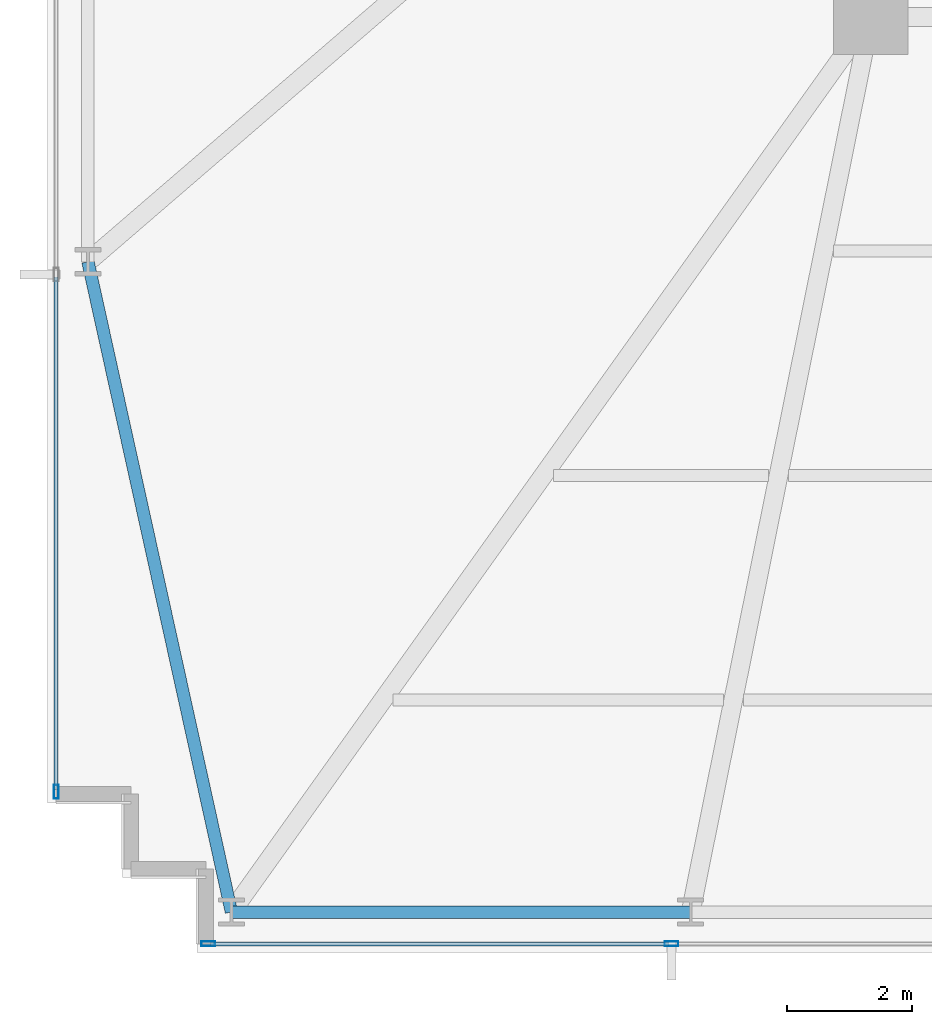
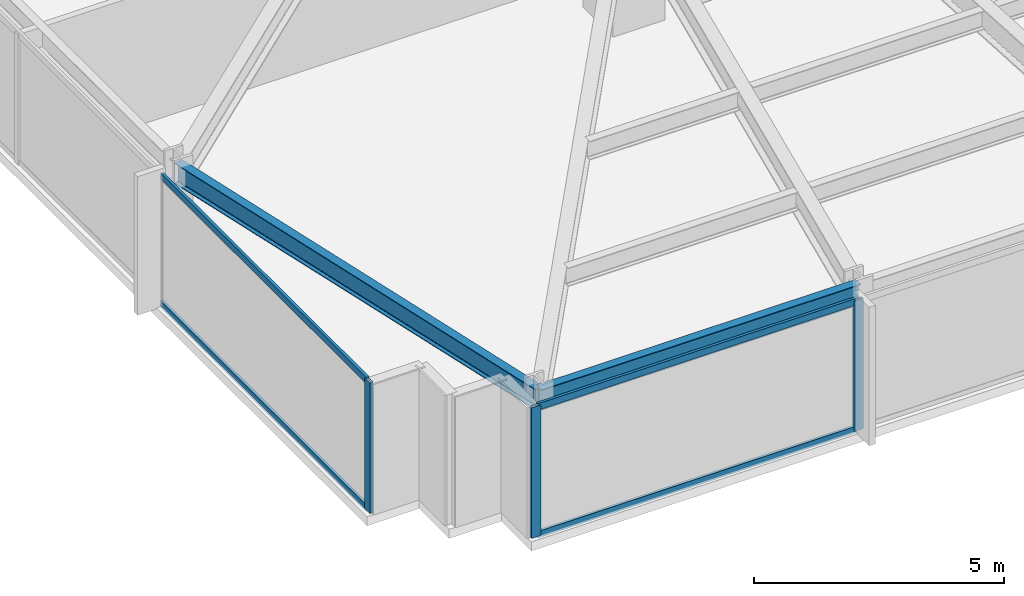
# One storey, part 2 of 32: 7 members, 2 beams, 2 elements without a shape of their own.
"""IFC4 building model written with IfcOpenShell, lengths in metres."""

from ifc_helpers import new_model, si_unit, direction, frame, origin, origin_2d, place, context, subcontext, project, spatial, hollow_rectangle, i_section, extrude, material, material_profile, profile_set, type_object, element, aggregate, save


model = new_model("IFC4")

# Units and contexts
model_context = context("Model", 3, precision=1e-05, world=origin(), true_north=direction((0.0, 1.0)))
body_context = subcontext(model_context, "Body", "Model", "MODEL_VIEW")
ifc_project = project(units=[si_unit("LENGTHUNIT", "METRE"), si_unit("AREAUNIT", "SQUARE_METRE"), si_unit("VOLUMEUNIT", "CUBIC_METRE"), si_unit("PLANEANGLEUNIT", "RADIAN"), si_unit("MASSUNIT", "GRAM", prefix="KILO")], contexts=[model_context])

# Site, building, storey
site_placement = place(None, origin())
site = spatial("IfcSite", under=ifc_project, at=site_placement, CompositionType="ELEMENT")
building_placement = place(site_placement, origin())
building = spatial("IfcBuilding", under=site, at=building_placement, Name="Yelkora Congress Tower", CompositionType="ELEMENT")
storey_placement = place(building_placement, frame((0.0, 0.0, 61.0)))
storey = spatial("IfcBuildingStorey", under=building, at=storey_placement, Name="L15", CompositionType="ELEMENT", Elevation=61.0)

# Beams
ifc_material_1 = material(Name="Steel S355J2", Category="steel")
ifc_material_profile_1 = material_profile(ifc_material_1, i_section(OverallWidth=0.199951171875, OverallDepth=0.5, WebThickness=0.01025390625, FlangeThickness=0.01611328125, FilletRadius=0.02099609375, at=origin_2d()), Name="IPE 500")
ifc_profile_set_1 = profile_set([ifc_material_profile_1], Name="Steel S355J2")
beam_type = type_object("IfcBeamType", Name="BM-SPAN-IPE500", PredefinedType="SPANDREL", material=ifc_profile_set_1)
beam_1_placement = place(storey_placement, frame((6.64990234375, 21.27490234375, 2.929931640625), z_axis=(0.215450706142, -0.976514717361, 0.0), x_axis=(0.976514717361, 0.215450706142, 0.0)))
element("IfcBeam", 1, at=beam_1_placement, inside=storey, type_object=beam_type, Name="L15 Perimeter Beam 1", PredefinedType="SPANDREL", context=body_context, shape_type="SweptSolid", body=[
    extrude(i_section(OverallWidth=0.199951171875, OverallDepth=0.5, WebThickness=0.01025390625, FlangeThickness=0.01611328125, FilletRadius=0.02099609375, at=origin_2d()), origin(), (0.0, 0.0, 1.0), 10.675537109375),
])
beam_2_placement = place(storey_placement, frame((8.949951171875, 10.85009765625, 2.929931640625), z_axis=(1.0, 0.0, 0.0), x_axis=(0.0, 1.0, 0.0)))
element("IfcBeam", 2, at=beam_2_placement, inside=storey, type_object=beam_type, Name="L15 Perimeter Beam 2", PredefinedType="SPANDREL", context=body_context, shape_type="SweptSolid", body=[
    extrude(i_section(OverallWidth=0.199951171875, OverallDepth=0.5, WebThickness=0.01025390625, FlangeThickness=0.01611328125, FilletRadius=0.02099609375, at=origin_2d()), origin(), (0.0, 0.0, 1.0), 7.362548828125),
])

# Curtain wall, member
ifc_material_2 = material(Name="Anodised aluminium and insulated glass", Category="aluminium")
curtain_wall_type = type_object("IfcCurtainWallType", Name="CW-SYS-B1", PredefinedType="NOTDEFINED", material=ifc_material_2)
curtain_wall_1_placement = place(storey_placement, origin())
curtain_wall_1 = element("IfcCurtainWall", 3, at=curtain_wall_1_placement, inside=storey, type_object=curtain_wall_type, Name="L15 Unitised Curtain Wall 5", PredefinedType="NOTDEFINED")
ifc_material_3 = material(Name="Anodised aluminium 6063-T6", Category="aluminium")
ifc_material_profile_2 = material_profile(ifc_material_3, hollow_rectangle(XDim=0.074951171875, YDim=0.219970703125, WallThickness=0.0048828125, at=origin_2d()), Name="ALU 75x220x5")
ifc_profile_set_2 = profile_set([ifc_material_profile_2], Name="Anodised aluminium 6063-T6")
member_type_1 = type_object("IfcMemberType", Name="MEM-ML-B1", PredefinedType="MULLION", material=ifc_profile_set_2)
member_1_placement = place(storey_placement, frame((6.139892578125, 12.777587890625, 0.0), z_axis=(0.0, 0.0, 1.0), x_axis=(-1.0, 0.0, 0.0)))
member_1 = element("IfcMember", 4, at=member_1_placement, type_object=member_type_1, Name="CW-B1 mullion 1", PredefinedType="MULLION", context=body_context, shape_type="SweptSolid", body=[
    extrude(hollow_rectangle(XDim=0.074951171875, YDim=0.219970703125, WallThickness=0.0048828125, at=origin_2d()), origin(), (0.0, 0.0, 1.0), 3.179931640625),
])

# Curtain wall, members
curtain_wall_2_placement = place(storey_placement, origin())
curtain_wall_2 = element("IfcCurtainWall", 5, at=curtain_wall_2_placement, inside=storey, type_object=curtain_wall_type, Name="L15 Unitised Curtain Wall 20", PredefinedType="NOTDEFINED")
member_2_placement = place(storey_placement, frame((16.0048828125, 10.340087890625, 0.0), z_axis=(0.0, 0.0, 1.0), x_axis=(0.0, -1.0, 0.0)))
member_2 = element("IfcMember", 6, at=member_2_placement, type_object=member_type_1, Name="CW-B1 mullion 8", PredefinedType="MULLION", context=body_context, shape_type="SweptSolid", body=[
    extrude(hollow_rectangle(XDim=0.074951171875, YDim=0.219970703125, WallThickness=0.0048828125, at=origin_2d()), origin(), (0.0, 0.0, 1.0), 3.179931640625),
])
member_3_placement = place(storey_placement, frame((8.577392578125, 10.340087890625, 0.0), z_axis=(0.0, 0.0, 1.0), x_axis=(0.0, -1.0, 0.0)))
member_3 = element("IfcMember", 7, at=member_3_placement, type_object=member_type_1, Name="CW-B1 mullion 9", PredefinedType="MULLION", context=body_context, shape_type="SweptSolid", body=[
    extrude(hollow_rectangle(XDim=0.074951171875, YDim=0.219970703125, WallThickness=0.0048828125, at=origin_2d()), origin(), (0.0, 0.0, 1.0), 3.179931640625),
])

# Member
ifc_material_profile_3 = material_profile(ifc_material_3, hollow_rectangle(XDim=0.06494140625, YDim=0.159912109375, WallThickness=0.00390625, at=origin_2d()), Name="ALU 65x160x4")
ifc_profile_set_3 = profile_set([ifc_material_profile_3], Name="Anodised aluminium 6063-T6")
member_type_2 = type_object("IfcMemberType", Name="MEM-TR-B1", PredefinedType="USERDEFINED", material=ifc_profile_set_3)
member_4_placement = place(storey_placement, frame((6.139892578125, 12.81494140625, 0.032470703125), z_axis=(0.0, 1.0, 0.0), x_axis=(-1.0, 0.0, 0.0)))
member_4 = element("IfcMember", 8, at=member_4_placement, type_object=member_type_2, Name="CW-B1 transom 1.1", ObjectType="TRANSOM", PredefinedType="USERDEFINED", context=body_context, shape_type="SweptSolid", body=[
    extrude(hollow_rectangle(XDim=0.06494140625, YDim=0.159912109375, WallThickness=0.00390625, at=origin_2d()), origin(), (0.0, 0.0, 1.0), 8.217529296875),
])

member_5_placement = place(storey_placement, frame((6.139892578125, 12.81494140625, 3.1474609375), z_axis=(0.0, 1.0, 0.0), x_axis=(-1.0, 0.0, 0.0)))
member_5 = element("IfcMember", 9, at=member_5_placement, type_object=member_type_2, Name="CW-B1 transom 1.2", ObjectType="TRANSOM", PredefinedType="USERDEFINED", context=body_context, shape_type="SweptSolid", body=[
    extrude(hollow_rectangle(XDim=0.06494140625, YDim=0.159912109375, WallThickness=0.00390625, at=origin_2d()), origin(), (0.0, 0.0, 1.0), 8.217529296875),
])

aggregate(curtain_wall_1, [member_1, member_4, member_5])

member_6_placement = place(storey_placement, frame((15.967529296875, 10.340087890625, 0.032470703125), z_axis=(-1.0, 0.0, 0.0), x_axis=(0.0, -1.0, 0.0)))
member_6 = element("IfcMember", 10, at=member_6_placement, type_object=member_type_2, Name="CW-B1 transom 8.1", ObjectType="TRANSOM", PredefinedType="USERDEFINED", context=body_context, shape_type="SweptSolid", body=[
    extrude(hollow_rectangle(XDim=0.06494140625, YDim=0.159912109375, WallThickness=0.00390625, at=origin_2d()), origin(), (0.0, 0.0, 1.0), 7.3525390625),
])

member_7_placement = place(storey_placement, frame((15.967529296875, 10.340087890625, 3.1474609375), z_axis=(-1.0, 0.0, 0.0), x_axis=(0.0, -1.0, 0.0)))
member_7 = element("IfcMember", 11, at=member_7_placement, type_object=member_type_2, Name="CW-B1 transom 8.2", ObjectType="TRANSOM", PredefinedType="USERDEFINED", context=body_context, shape_type="SweptSolid", body=[
    extrude(hollow_rectangle(XDim=0.06494140625, YDim=0.159912109375, WallThickness=0.00390625, at=origin_2d()), origin(), (0.0, 0.0, 1.0), 7.3525390625),
])

aggregate(curtain_wall_2, [member_2, member_3, member_6, member_7])

save(model, "model.ifc")
